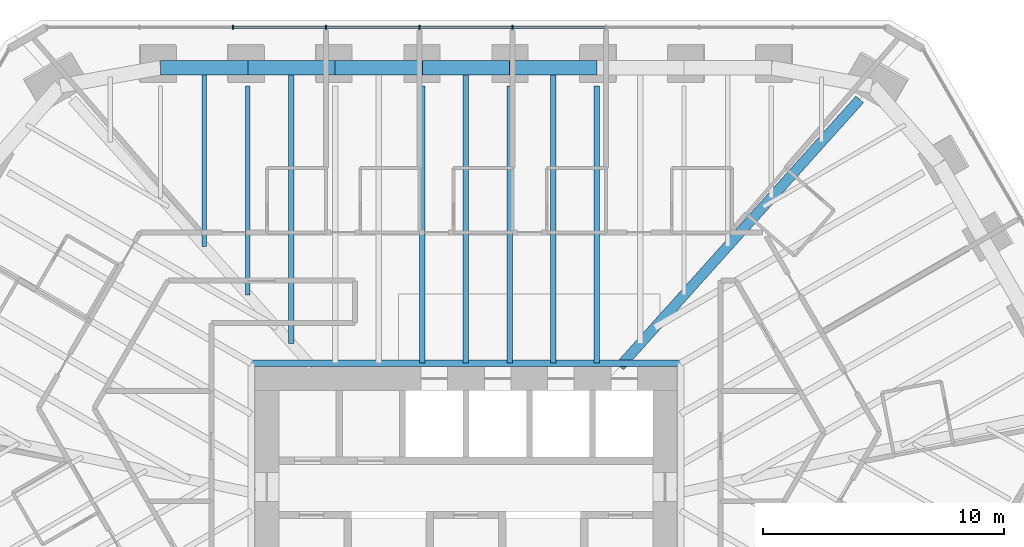
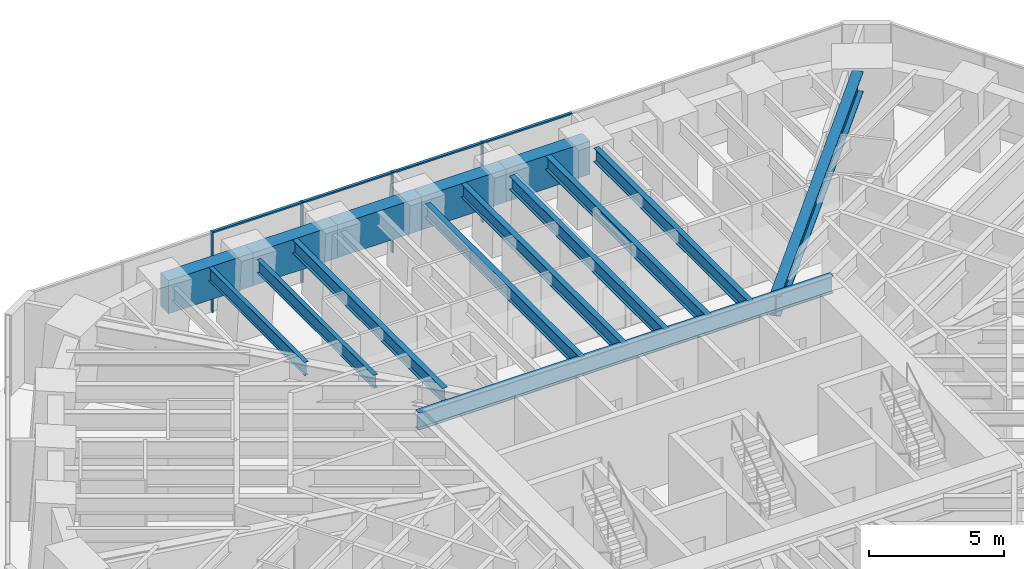
# One storey, part 8 of 17: 15 beams, 8 members, 1 element without a shape of its own.
"""IFC4 building model written with IfcOpenShell, lengths in metres."""

import ifcopenshell
import ifcopenshell.guid

model = None  # the IFC model being written
_history = None  # IfcOwnerHistory: only IFC2X3 demands one
_inside = {}  # id of a spatial element -> (the spatial element, [elements in it])
_under = {}  # id of a project, library or spatial element -> (it, [spatial elements below it])
_declared = {}  # id of a project -> (the project, [libraries it declares])
_typed = {}  # id of a type object -> (the type object, [elements of that type])
_made_of = {}  # id of a material, layer set ... -> (it, [elements and type objects made of it])


def new_model(schema):
    """Start an empty IFC model of exactly this schema.

    Asked for "IFC4X3", IfcOpenShell would pick the latest addendum, in which some entities
    have other attributes; the version numbers below select the first issue.
    IFC2X3 requires an IfcOwnerHistory on every rooted entity: one is made here for all.
    """
    global model, _history
    if schema == "IFC4X3":
        model = ifcopenshell.file(schema_version=(4, 3, 0, 0))
    else:
        model = ifcopenshell.file(schema=schema)
    _inside.clear()
    _under.clear()
    _declared.clear()
    _typed.clear()
    _made_of.clear()
    _history = None
    if model.schema == "IFC2X3":
        org = make("IfcOrganization", Name="unknown")
        user = make(
            "IfcPersonAndOrganization",
            ThePerson=make("IfcPerson", FamilyName="unknown"),
            TheOrganization=org,
        )
        app = make(
            "IfcApplication",
            ApplicationDeveloper=org,
            Version="unknown",
            ApplicationFullName="unknown",
            ApplicationIdentifier="unknown",
        )
        _history = make(
            "IfcOwnerHistory",
            OwningUser=user,
            OwningApplication=app,
            ChangeAction="ADDED",
            CreationDate=0,
        )
    return model


def make(cls, **values):
    """One entity of the class cls with the attributes given. An attribute that is None is left unset."""
    return model.create_entity(
        cls, **{name: value for name, value in values.items() if value is not None}
    )


def rooted(cls, **values):
    """An entity with a GlobalId (a new one), such as an element, a storey or a relation."""
    return make(cls, GlobalId=ifcopenshell.guid.new(), OwnerHistory=_history, **values)


def si_unit(unit_type, name, prefix=None):
    """IfcSIUnit, for example si_unit("LENGTHUNIT", "METRE", prefix="MILLI")."""
    return make("IfcSIUnit", UnitType=unit_type, Prefix=prefix, Name=name)


def assignment(units):
    """IfcUnitAssignment: the units of a project."""
    return None if units is None else make("IfcUnitAssignment", Units=units)


def point(xyz):
    """IfcCartesianPoint."""
    return None if xyz is None else make("IfcCartesianPoint", Coordinates=xyz)


def direction(xyz):
    """IfcDirection."""
    return None if xyz is None else make("IfcDirection", DirectionRatios=xyz)


def frame(location, z_axis=None, x_axis=None):
    """IfcAxis2Placement3D, a coordinate frame: its origin and axes. An axis left out is left unset."""
    return make(
        "IfcAxis2Placement3D",
        Location=point(location),
        Axis=direction(z_axis),
        RefDirection=direction(x_axis),
    )


def frame_2d(location, x_axis=None):
    """IfcAxis2Placement2D, a coordinate frame in the plane: its origin and x axis."""
    return make(
        "IfcAxis2Placement2D", Location=point(location), RefDirection=direction(x_axis)
    )


def origin():
    """The frame at (0, 0, 0) with its axes left unset."""
    return frame((0.0, 0.0, 0.0))


def origin_2d():
    """The frame at (0, 0) in the plane with its x axis left unset."""
    return frame_2d((0.0, 0.0))


def place(relative_to, where):
    """IfcLocalPlacement: puts the frame where relative to a parent placement (None: the world)."""
    return make(
        "IfcLocalPlacement", PlacementRelTo=relative_to, RelativePlacement=where
    )


def context(
    kind, dimensions, precision=None, world=None, true_north=None, identifier=None
):
    """IfcGeometricRepresentationContext, for example the 3D "Model" context."""
    return make(
        "IfcGeometricRepresentationContext",
        ContextIdentifier=identifier,
        ContextType=kind,
        CoordinateSpaceDimension=dimensions,
        Precision=precision,
        WorldCoordinateSystem=world,
        TrueNorth=true_north,
    )


def subcontext(parent, identifier, kind, view, scale=None):
    """IfcGeometricRepresentationSubContext, for example "Body" below "Model"."""
    return make(
        "IfcGeometricRepresentationSubContext",
        ContextIdentifier=identifier,
        ContextType=kind,
        ParentContext=parent,
        TargetScale=scale,
        TargetView=view,
    )


def project(units=None, contexts=None):
    """IfcProject with its units and contexts."""
    return rooted(
        "IfcProject",
        Name="project",
        RepresentationContexts=contexts,
        UnitsInContext=assignment(units),
    )


def spatial(cls, under=None, at=None, **own):
    """A site, building, storey or space (cls), placed at a placement, below another one or the project."""
    s = rooted(cls, ObjectPlacement=at, **own)
    if under is not None:
        _under.setdefault(under.id(), (under, []))[1].append(s)
    return s


def profile(cls, at=None, kind="AREA", **sizes):
    """A parametric profile (cls). Its sizes go by their IFC names, for example OverallWidth=200.0."""
    return make(cls, ProfileType=kind, Position=at, **sizes)


def rectangle(**sizes):
    """IfcRectangleProfileDef."""
    return profile("IfcRectangleProfileDef", **sizes)


def i_section(**sizes):
    """IfcIShapeProfileDef."""
    return profile("IfcIShapeProfileDef", **sizes)


def extrude(swept, where, along, depth):
    """IfcExtrudedAreaSolid: the profile swept, set in the frame where, extruded along a direction by depth."""
    return make(
        "IfcExtrudedAreaSolid",
        SweptArea=swept,
        Position=where,
        ExtrudedDirection=direction(along),
        Depth=depth,
    )


def shape(context_of_items, identifier, shape_type, items):
    """IfcShapeRepresentation: the items that make up one representation, for example the "Body"."""
    return make(
        "IfcShapeRepresentation",
        ContextOfItems=context_of_items,
        RepresentationIdentifier=identifier,
        RepresentationType=shape_type,
        Items=items,
    )


def material(Name=None, Category=None):
    """IfcMaterial."""
    return make("IfcMaterial", Name=Name, Category=Category)


def material_profile(
    of_material, cross_section, Name=None, Category=None, Priority=None
):
    """IfcMaterialProfile: a cross section and its material."""
    return make(
        "IfcMaterialProfile",
        Name=Name,
        Material=of_material,
        Profile=cross_section,
        Priority=Priority,
        Category=Category,
    )


def profile_set(profiles, Name=None, composite=None):
    """IfcMaterialProfileSet."""
    return make(
        "IfcMaterialProfileSet",
        Name=Name,
        MaterialProfiles=profiles,
        CompositeProfile=composite,
    )


def made_of(thing, what):
    """Note that an element or type object is made of a material, layer set ...; save() writes the relation."""
    if what is not None:
        _made_of.setdefault(what.id(), (what, []))[1].append(thing)
    return thing


def type_object(cls, material=None, **own):
    """A type object (cls), such as IfcWallType, which elements share."""
    return made_of(rooted(cls, **own), material)


def element(
    cls,
    number,
    at=None,
    inside=None,
    cuts=None,
    type_object=None,
    material=None,
    context=None,
    identifier="Body",
    shape_type=None,
    held_by="IfcProductDefinitionShape",
    body=None,
    shapes=None,
    **own,
):
    """One element of the class cls, such as IfcWall. Its Tag is "e" and its number.

    at: its placement. inside: the storey or other place that contains it. cuts: it is an
    opening in that element (IfcRelVoidsElement). A single representation is given by context,
    identifier, shape_type and body (its items); several are given by shapes. held_by: the class
    of the entity that holds the representations. save() writes the other relations.
    """
    e = rooted(cls, Tag="e%d" % number, ObjectPlacement=at, **own)
    if body is not None:
        shapes = [shape(context, identifier, shape_type, body)]
    if shapes is not None:
        e.Representation = make(held_by, Representations=shapes)
    if inside is not None:
        _inside.setdefault(inside.id(), (inside, []))[1].append(e)
    if cuts is not None:
        rooted(
            "IfcRelVoidsElement", RelatingBuildingElement=cuts, RelatedOpeningElement=e
        )
    if type_object is not None:
        _typed.setdefault(type_object.id(), (type_object, []))[1].append(e)
    return made_of(e, material)


def aggregate(whole, parts):
    """IfcRelAggregates: a whole, such as a stair, and the parts it consists of."""
    return rooted("IfcRelAggregates", RelatingObject=whole, RelatedObjects=parts)


def save(model, path):
    """Write the relations noted so far, then the file.

    IfcRelAggregates (storeys below a building ...), IfcRelContainedInSpatialStructure (elements
    in a storey), IfcRelDefinesByType, IfcRelAssociatesMaterial and IfcRelDeclares: one each for
    every whole, place, type object, material and project.
    """
    for whole, parts in _under.values():
        aggregate(whole, parts)
    for where, things in _inside.values():
        rooted(
            "IfcRelContainedInSpatialStructure",
            RelatedElements=things,
            RelatingStructure=where,
        )
    for kind, things in _typed.values():
        rooted("IfcRelDefinesByType", RelatedObjects=things, RelatingType=kind)
    for what, things in _made_of.values():
        rooted("IfcRelAssociatesMaterial", RelatedObjects=things, RelatingMaterial=what)
    for by, libraries in _declared.values():
        rooted("IfcRelDeclares", RelatingContext=by, RelatedDefinitions=libraries)
    model.write(path)


model = new_model("IFC4")

# Units and contexts
model_context = context("Model", 3, precision=1e-05, world=origin(), true_north=direction((0.0, 1.0)))
body_context = subcontext(model_context, "Body", "Model", "MODEL_VIEW")
ifc_project = project(units=[si_unit("LENGTHUNIT", "METRE"), si_unit("AREAUNIT", "SQUARE_METRE"), si_unit("VOLUMEUNIT", "CUBIC_METRE"), si_unit("PLANEANGLEUNIT", "RADIAN"), si_unit("MASSUNIT", "GRAM", prefix="KILO")], contexts=[model_context])

# Site, building, storey
site_placement = place(None, origin())
site = spatial("IfcSite", under=ifc_project, at=site_placement, CompositionType="ELEMENT")
building_placement = place(site_placement, origin())
building = spatial("IfcBuilding", under=site, at=building_placement, Name="Sandreach Pilgrim Tower", CompositionType="ELEMENT")
storey_placement = place(building_placement, frame((0.0, 0.0, 236.39990234375)))
storey = spatial("IfcBuildingStorey", under=building, at=storey_placement, Name="L59", CompositionType="ELEMENT", Elevation=236.39990234375)

# Curtain wall, members
ifc_material_1 = material(Name="Aluminium framed curtain wall", Category="aluminium")
curtain_wall_type = type_object("IfcCurtainWallType", Name="Upper hotel tower curtain wall", PredefinedType="NOTDEFINED", material=ifc_material_1)
curtain_wall_placement = place(storey_placement, origin())
curtain_wall = element("IfcCurtainWall", 1, at=curtain_wall_placement, inside=storey, type_object=curtain_wall_type, Name="CW-3 L59 N", PredefinedType="NOTDEFINED")
ifc_material_2 = material(Name="Aluminium extrusion", Category="aluminium")
ifc_material_profile_1 = material_profile(ifc_material_2, rectangle(XDim=0.06494140625, YDim=0.159912109375, at=origin_2d()), Name="CW-3M 65X160")
ifc_profile_set_1 = profile_set([ifc_material_profile_1], Name="Aluminium extrusion")
member_type_1 = type_object("IfcMemberType", Name="CW-3 mullion", PredefinedType="MULLION", material=ifc_profile_set_1)
member_1_placement = place(storey_placement, frame((-9.6611328125, 21.16015625, 0.0), z_axis=(0.0, 0.0, 1.0), x_axis=(1.0, 0.0, 0.0)))
member_1 = element("IfcMember", 2, at=member_1_placement, type_object=member_type_1, Name="CW-3 mullion 3", PredefinedType="MULLION", context=body_context, shape_type="SweptSolid", body=[
    extrude(rectangle(XDim=0.06494140625, YDim=0.159912109375, at=origin_2d()), origin(), (0.0, 0.0, 1.0), 3.64013671875),
])
member_2_placement = place(storey_placement, frame((-5.796630859375, 21.16015625, 0.0), z_axis=(0.0, 0.0, 1.0), x_axis=(1.0, 0.0, 0.0)))
member_2 = element("IfcMember", 3, at=member_2_placement, type_object=member_type_1, Name="CW-3 mullion 4", PredefinedType="MULLION", context=body_context, shape_type="SweptSolid", body=[
    extrude(rectangle(XDim=0.06494140625, YDim=0.159912109375, at=origin_2d()), origin(), (0.0, 0.0, 1.0), 3.64013671875),
])
member_3_placement = place(storey_placement, frame((-1.93212890625, 21.16015625, 0.0), z_axis=(0.0, 0.0, 1.0), x_axis=(1.0, 0.0, 0.0)))
member_3 = element("IfcMember", 4, at=member_3_placement, type_object=member_type_1, Name="CW-3 mullion 5", PredefinedType="MULLION", context=body_context, shape_type="SweptSolid", body=[
    extrude(rectangle(XDim=0.06494140625, YDim=0.159912109375, at=origin_2d()), origin(), (0.0, 0.0, 1.0), 3.64013671875),
])
member_4_placement = place(storey_placement, frame((1.93212890625, 21.16015625, 0.0), z_axis=(0.0, 0.0, 1.0), x_axis=(1.0, 0.0, 0.0)))
member_4 = element("IfcMember", 5, at=member_4_placement, type_object=member_type_1, Name="CW-3 mullion 6", PredefinedType="MULLION", context=body_context, shape_type="SweptSolid", body=[
    extrude(rectangle(XDim=0.06494140625, YDim=0.159912109375, at=origin_2d()), origin(), (0.0, 0.0, 1.0), 3.64013671875),
])
ifc_material_3 = material(Name="Aluminium extrusion", Category="aluminium")
ifc_material_profile_2 = material_profile(ifc_material_3, rectangle(XDim=0.1201171875, YDim=0.070068359375, at=origin_2d()), Name="CW-3T 120X70")
ifc_profile_set_2 = profile_set([ifc_material_profile_2], Name="Aluminium extrusion")
member_type_2 = type_object("IfcMemberType", Name="CW-3 transom", PredefinedType="USERDEFINED", material=ifc_profile_set_2)
member_5_placement = place(storey_placement, frame((-9.628662109375, 21.16015625, 3.60498046875), z_axis=(1.0, 0.0, 0.0), x_axis=(0.0, 1.0, 0.0)))
member_5 = element("IfcMember", 6, at=member_5_placement, type_object=member_type_2, Name="CW-3 head transom 3", ObjectType="TRANSOM", PredefinedType="USERDEFINED", context=body_context, shape_type="SweptSolid", body=[
    extrude(rectangle(XDim=0.1201171875, YDim=0.070068359375, at=origin_2d()), origin(), (0.0, 0.0, 1.0), 3.799560546875),
])
member_6_placement = place(storey_placement, frame((-5.76416015625, 21.16015625, 3.60498046875), z_axis=(1.0, 0.0, 0.0), x_axis=(0.0, 1.0, 0.0)))
member_6 = element("IfcMember", 7, at=member_6_placement, type_object=member_type_2, Name="CW-3 head transom 4", ObjectType="TRANSOM", PredefinedType="USERDEFINED", context=body_context, shape_type="SweptSolid", body=[
    extrude(rectangle(XDim=0.1201171875, YDim=0.070068359375, at=origin_2d()), origin(), (0.0, 0.0, 1.0), 3.799560546875),
])
member_7_placement = place(storey_placement, frame((-1.899658203125, 21.16015625, 3.60498046875), z_axis=(1.0, 0.0, 0.0), x_axis=(0.0, 1.0, 0.0)))
member_7 = element("IfcMember", 8, at=member_7_placement, type_object=member_type_2, Name="CW-3 head transom 5", ObjectType="TRANSOM", PredefinedType="USERDEFINED", context=body_context, shape_type="SweptSolid", body=[
    extrude(rectangle(XDim=0.1201171875, YDim=0.070068359375, at=origin_2d()), origin(), (0.0, 0.0, 1.0), 3.79931640625),
])
member_8_placement = place(storey_placement, frame((1.964599609375, 21.16015625, 3.60498046875), z_axis=(1.0, 0.0, 0.0), x_axis=(0.0, 1.0, 0.0)))
member_8 = element("IfcMember", 9, at=member_8_placement, type_object=member_type_2, Name="CW-3 head transom 6", ObjectType="TRANSOM", PredefinedType="USERDEFINED", context=body_context, shape_type="SweptSolid", body=[
    extrude(rectangle(XDim=0.1201171875, YDim=0.070068359375, at=origin_2d()), origin(), (0.0, 0.0, 1.0), 3.799560546875),
])
aggregate(curtain_wall, [member_1, member_2, member_3, member_4, member_5, member_6, member_7, member_8])

# Beams
ifc_material_4 = material(Name="Steel ASTM A992 Grade 50", Category="steel")
ifc_material_profile_3 = material_profile(ifc_material_4, i_section(OverallWidth=0.2666015625, OverallDepth=0.77978515625, WebThickness=0.0166015625, FlangeThickness=0.030029296875, at=origin_2d()), Name="W30X148")
ifc_profile_set_3 = profile_set([ifc_material_profile_3], Name="Steel ASTM A992 Grade 50")
beam_type_1 = type_object("IfcBeamType", Name="Core edge beam W30X148", PredefinedType="BEAM", material=ifc_profile_set_3)
beam_1_placement = place(storey_placement, frame((-8.893310546875, 7.243408203125, 3.250244140625), z_axis=(1.0, 0.0, 0.0), x_axis=(0.0, 1.0, 0.0)))
element("IfcBeam", 10, at=beam_1_placement, inside=storey, type_object=beam_type_1, Name="BM L59 CEN", PredefinedType="BEAM", context=body_context, shape_type="SweptSolid", body=[
    extrude(i_section(OverallWidth=0.2666015625, OverallDepth=0.77978515625, WebThickness=0.0166015625, FlangeThickness=0.030029296875, at=origin_2d()), origin(), (0.0, 0.0, 1.0), 17.78662109375),
])
ifc_material_5 = material(Name="Steel ASTM A992 Grade 50", Category="steel")
ifc_material_profile_4 = material_profile(ifc_material_5, i_section(OverallWidth=0.421630859375, OverallDepth=0.937255859375, WebThickness=0.0224609375, FlangeThickness=0.039794921875, at=origin_2d()), Name="W36X282")
ifc_profile_set_4 = profile_set([ifc_material_profile_4], Name="Steel ASTM A992 Grade 50")
beam_type_2 = type_object("IfcBeamType", Name="Corner girder W36X282", PredefinedType="BEAM", material=ifc_profile_set_4)
beam_2_placement = place(storey_placement, frame((16.315185546875, 18.169677734375, 3.17138671875), z_axis=(-0.668112951333, -0.744059866047, 0.0), x_axis=(0.744059866047, -0.668112951333, 0.0)))
element("IfcBeam", 11, at=beam_2_placement, inside=storey, type_object=beam_type_2, Name="BM L59 CG09", PredefinedType="BEAM", context=body_context, shape_type="SweptSolid", body=[
    extrude(i_section(OverallWidth=0.421630859375, OverallDepth=0.937255859375, WebThickness=0.0224609375, FlangeThickness=0.039794921875, at=origin_2d()), origin(), (0.0, 0.0, 1.0), 14.877197265625),
])
ifc_material_6 = material(Name="Steel ASTM A992 Grade 50", Category="steel")
ifc_material_profile_5 = material_profile(ifc_material_6, i_section(OverallWidth=0.1787109375, OverallDepth=0.60205078125, WebThickness=0.010986328125, FlangeThickness=0.014892578125, at=origin_2d()), Name="W24X62")
ifc_profile_set_5 = profile_set([ifc_material_profile_5], Name="Steel ASTM A992 Grade 50")
beam_type_3 = type_object("IfcBeamType", Name="Floor beam W24X62", PredefinedType="BEAM", material=ifc_profile_set_5)
beam_3_placement = place(storey_placement, frame((-9.03857421875, 18.734619140625, 3.339111328125), z_axis=(0.0, -1.0, 0.0), x_axis=(1.0, 0.0, 0.0)))
element("IfcBeam", 12, at=beam_3_placement, inside=storey, type_object=beam_type_3, Name="BM L59 F02", PredefinedType="BEAM", context=body_context, shape_type="SweptSolid", body=[
    extrude(i_section(OverallWidth=0.1787109375, OverallDepth=0.60205078125, WebThickness=0.010986328125, FlangeThickness=0.014892578125, at=origin_2d()), origin(), (0.0, 0.0, 1.0), 8.668701171875),
])
beam_4_placement = place(storey_placement, frame((-10.84619140625, 19.484619140625, 3.339111328125), z_axis=(0.0, -1.0, 0.0), x_axis=(1.0, 0.0, 0.0)))
element("IfcBeam", 13, at=beam_4_placement, inside=storey, type_object=beam_type_3, Name="BM L59 FM01", PredefinedType="BEAM", context=body_context, shape_type="SweptSolid", body=[
    extrude(i_section(OverallWidth=0.1787109375, OverallDepth=0.60205078125, WebThickness=0.010986328125, FlangeThickness=0.014892578125, at=origin_2d()), origin(), (0.0, 0.0, 1.0), 7.405517578125),
])
ifc_material_7 = material(Name="Steel ASTM A992 Grade 50", Category="steel")
ifc_material_profile_6 = material_profile(ifc_material_7, i_section(OverallWidth=0.23046875, OverallDepth=0.6171875, WebThickness=0.01318359375, FlangeThickness=0.022216796875, at=origin_2d()), Name="W24X94")
ifc_profile_set_6 = profile_set([ifc_material_profile_6], Name="Steel ASTM A992 Grade 50")
beam_type_4 = type_object("IfcBeamType", Name="Floor beam W24X94", PredefinedType="BEAM", material=ifc_profile_set_6)
for number, where, z_axis, x_axis, name in (
    (14, (-1.8076171875, 18.734619140625, 3.33154296875), (0.0, -1.0, 0.0), (1.0, 0.0, 0.0), "BM L59 F04"),
    (15, (1.8076171875, 18.734619140625, 3.33154296875), (0.0, -1.0, 0.0), (1.0, 0.0, 0.0), "BM L59 F05"),
    (16, (5.423095703125, 18.734619140625, 3.33154296875), (0.0, -1.0, 0.0), (1.0, 0.0, 0.0), "BM L59 F06"),
):
    element("IfcBeam", number, at=place(storey_placement, frame(where, z_axis=z_axis, x_axis=x_axis)), inside=storey, type_object=beam_type_4, Name=name, PredefinedType="BEAM", context=body_context, shape_type="SweptSolid", body=[
        extrude(i_section(OverallWidth=0.23046875, OverallDepth=0.6171875, WebThickness=0.01318359375, FlangeThickness=0.022216796875, at=origin_2d()), origin(), (0.0, 0.0, 1.0), 11.4912109375),
    ])
beam_5_placement = place(storey_placement, frame((-7.230712890625, 19.484619140625, 3.33154296875), z_axis=(0.0, -1.0, 0.0), x_axis=(1.0, 0.0, 0.0)))
element("IfcBeam", 17, at=beam_5_placement, inside=storey, type_object=beam_type_4, Name="BM L59 FM02", PredefinedType="BEAM", context=body_context, shape_type="SweptSolid", body=[
    extrude(i_section(OverallWidth=0.23046875, OverallDepth=0.6171875, WebThickness=0.01318359375, FlangeThickness=0.022216796875, at=origin_2d()), origin(), (0.0, 0.0, 1.0), 11.431884765625),
])
for number, where, z_axis, x_axis, name in (
    (18, (0.0, 19.484619140625, 3.33154296875), (0.0, -1.0, 0.0), (1.0, 0.0, 0.0), "BM L59 FM04"),
    (19, (3.615478515625, 19.484619140625, 3.33154296875), (0.0, -1.0, 0.0), (1.0, 0.0, 0.0), "BM L59 FM05"),
):
    element("IfcBeam", number, at=place(storey_placement, frame(where, z_axis=z_axis, x_axis=x_axis)), inside=storey, type_object=beam_type_4, Name=name, PredefinedType="BEAM", context=body_context, shape_type="SweptSolid", body=[
        extrude(i_section(OverallWidth=0.23046875, OverallDepth=0.6171875, WebThickness=0.01318359375, FlangeThickness=0.022216796875, at=origin_2d()), origin(), (0.0, 0.0, 1.0), 12.2412109375),
    ])
ifc_material_8 = material(Name="Concrete 10000 psi", Category="concrete")
ifc_material_profile_7 = material_profile(ifc_material_8, rectangle(XDim=0.60009765625, YDim=1.5, at=origin_2d()), Name="RC600X1500")
ifc_profile_set_7 = profile_set([ifc_material_profile_7], Name="Concrete 10000 psi")
beam_type_5 = type_object("IfcBeamType", Name="Spandrel beam RC600X1500", PredefinedType="SPANDREL", material=ifc_profile_set_7)
for number, where, z_axis, x_axis, name in (
    (20, (-12.654052734375, 19.484619140625, 2.89013671875), (1.0, 0.0, 0.0), (0.0, 1.0, 0.0), "BM L59 SP01"),
    (21, (-9.03857421875, 19.484619140625, 2.89013671875), (1.0, 0.0, 0.0), (0.0, 1.0, 0.0), "BM L59 SP02"),
    (22, (-5.423095703125, 19.484619140625, 2.89013671875), (1.0, 0.0, 0.0), (0.0, 1.0, 0.0), "BM L59 SP03"),
):
    element("IfcBeam", number, at=place(storey_placement, frame(where, z_axis=z_axis, x_axis=x_axis)), inside=storey, type_object=beam_type_5, Name=name, PredefinedType="SPANDREL", context=body_context, shape_type="SweptSolid", body=[
        extrude(rectangle(XDim=0.60009765625, YDim=1.5, at=origin_2d()), origin(), (0.0, 0.0, 1.0), 3.615478515625),
    ])
beam_6_placement = place(storey_placement, frame((-1.8076171875, 19.484619140625, 2.89013671875), z_axis=(1.0, 0.0, 0.0), x_axis=(0.0, 1.0, 0.0)))
element("IfcBeam", 23, at=beam_6_placement, inside=storey, type_object=beam_type_5, Name="BM L59 SP04", PredefinedType="SPANDREL", context=body_context, shape_type="SweptSolid", body=[
    extrude(rectangle(XDim=0.60009765625, YDim=1.5, at=origin_2d()), origin(), (0.0, 0.0, 1.0), 3.615234375),
])
beam_7_placement = place(storey_placement, frame((1.8076171875, 19.484619140625, 2.89013671875), z_axis=(1.0, 0.0, 0.0), x_axis=(0.0, 1.0, 0.0)))
element("IfcBeam", 24, at=beam_7_placement, inside=storey, type_object=beam_type_5, Name="BM L59 SP05", PredefinedType="SPANDREL", context=body_context, shape_type="SweptSolid", body=[
    extrude(rectangle(XDim=0.60009765625, YDim=1.5, at=origin_2d()), origin(), (0.0, 0.0, 1.0), 3.615478515625),
])

save(model, "model.ifc")
